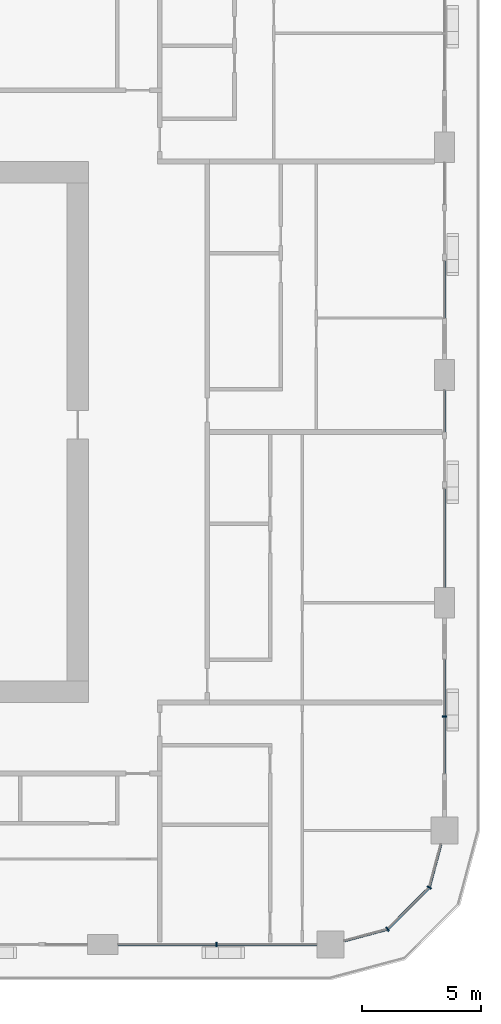
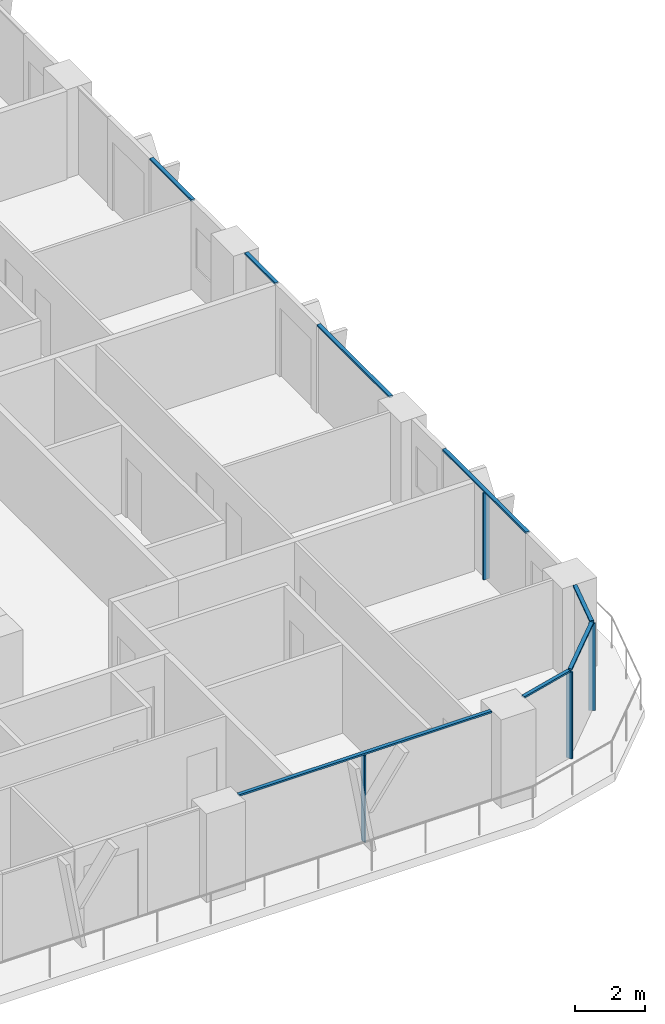
# One storey, part 4 of 21: 12 members, 5 elements without a shape of their own.
"""IFC4 building model written with IfcOpenShell, lengths in metres."""

from ifc_helpers import new_model, si_unit, direction, frame, origin, origin_2d, place, context, subcontext, project, spatial, rectangle, extrude, material, layer, layer_set, material_profile, profile_set, type_object, element, aggregate, save


model = new_model("IFC4")

# Units and contexts
model_context = context("Model", 3, precision=1e-05, world=origin(), true_north=direction((0.0, 1.0)))
body_context = subcontext(model_context, "Body", "Model", "MODEL_VIEW")
ifc_project = project(units=[si_unit("LENGTHUNIT", "METRE"), si_unit("AREAUNIT", "SQUARE_METRE"), si_unit("VOLUMEUNIT", "CUBIC_METRE"), si_unit("PLANEANGLEUNIT", "RADIAN"), si_unit("MASSUNIT", "GRAM", prefix="KILO")], contexts=[model_context])

# Site, building, storey
site_placement = place(None, origin())
site = spatial("IfcSite", under=ifc_project, at=site_placement, CompositionType="ELEMENT")
building_placement = place(site_placement, origin())
building = spatial("IfcBuilding", under=site, at=building_placement, Name="Madar Terraces", CompositionType="ELEMENT")
storey_placement = place(building_placement, frame((0.0, 0.0, 110.199951171875)))
storey = spatial("IfcBuildingStorey", under=building, at=storey_placement, Name="L28", CompositionType="ELEMENT", Elevation=110.199951171875)

# Curtain wall, member
ifc_material_1 = material(Name="Glass, ceramic frit dark grey, with black aluminium frame", Category="aluminium")
ifc_layer = layer(ifc_material_1, 0.199951171875)
ifc_layer_set = layer_set([ifc_layer], Name="Facade curtain wall, fritted glass")
curtain_wall_type = type_object("IfcCurtainWallType", Name="Facade curtain wall, fritted glass", PredefinedType="NOTDEFINED", material=ifc_layer_set)
curtain_wall_1_placement = place(storey_placement, origin())
curtain_wall_1 = element("IfcCurtainWall", 1, at=curtain_wall_1_placement, inside=storey, type_object=curtain_wall_type, Name="Outer skin curtain wall south bay 5", PredefinedType="NOTDEFINED")
ifc_material_2 = material(Name="Aluminium, black anodised", Category="aluminium")
ifc_material_profile_1 = material_profile(ifc_material_2, rectangle(XDim=0.199951171875, YDim=0.06005859375, at=origin_2d()), Name="Facade mullion 60x200")
ifc_profile_set_1 = profile_set([ifc_material_profile_1], Name="Aluminium, black anodised")
member_type_1 = type_object("IfcMemberType", Name="Facade mullion 60x200", PredefinedType="MULLION", material=ifc_profile_set_1)
member_1_placement = place(storey_placement, frame((52.800048828125, 4.800048828125, 0.0), z_axis=(0.0, 0.0, 1.0), x_axis=(0.0, 1.0, 0.0)))
member_1 = element("IfcMember", 2, at=member_1_placement, type_object=member_type_1, Name="Mullion 1", PredefinedType="MULLION", context=body_context, shape_type="SweptSolid", body=[
    extrude(rectangle(XDim=0.199951171875, YDim=0.06005859375, at=origin_2d()), origin(), (0.0, 0.0, 1.0), 3.0400390625),
])

curtain_wall_2_placement = place(storey_placement, origin())
curtain_wall_2 = element("IfcCurtainWall", 3, at=curtain_wall_2_placement, inside=storey, type_object=curtain_wall_type, Name="Outer skin curtain wall east bay 1", PredefinedType="NOTDEFINED")
member_2_placement = place(storey_placement, frame((62.39990234375, 14.39990234375, 0.0), z_axis=(0.0, 0.0, 1.0), x_axis=(-1.0, 0.0, 0.0)))
member_2 = element("IfcMember", 4, at=member_2_placement, type_object=member_type_1, Name="Mullion 1", PredefinedType="MULLION", context=body_context, shape_type="SweptSolid", body=[
    extrude(rectangle(XDim=0.199951171875, YDim=0.06005859375, at=origin_2d()), origin(), (0.0, 0.0, 1.0), 3.0400390625),
])

# Curtain wall, members
curtain_wall_3_placement = place(storey_placement, origin())
curtain_wall_3 = element("IfcCurtainWall", 5, at=curtain_wall_3_placement, inside=storey, type_object=curtain_wall_type, Name="Outer skin curtain wall south-east corner", PredefinedType="NOTDEFINED")
member_3_placement = place(storey_placement, frame((60.0, 5.443115234375, 0.0), z_axis=(0.0, 0.0, 1.0), x_axis=(-0.499999989586, 0.866025409797, 0.0)))
member_3 = element("IfcMember", 6, at=member_3_placement, type_object=member_type_1, Name="Mullion 1", PredefinedType="MULLION", context=body_context, shape_type="SweptSolid", body=[
    extrude(rectangle(XDim=0.199951171875, YDim=0.06005859375, at=origin_2d()), origin(), (0.0, 0.0, 1.0), 3.0400390625),
])
member_4_placement = place(storey_placement, frame((61.7568359375, 7.199951171875, 0.0), z_axis=(0.0, 0.0, 1.0), x_axis=(-0.866025409797, 0.499999989586, 0.0)))
member_4 = element("IfcMember", 7, at=member_4_placement, type_object=member_type_1, Name="Mullion 2", PredefinedType="MULLION", context=body_context, shape_type="SweptSolid", body=[
    extrude(rectangle(XDim=0.199951171875, YDim=0.06005859375, at=origin_2d()), origin(), (0.0, 0.0, 1.0), 3.0400390625),
])

# Member
ifc_material_3 = material(Name="Aluminium, black anodised", Category="aluminium")
ifc_material_profile_2 = material_profile(ifc_material_3, rectangle(XDim=0.1201171875, YDim=0.06005859375, at=origin_2d()), Name="Facade transom 60x120")
ifc_profile_set_2 = profile_set([ifc_material_profile_2], Name="Aluminium, black anodised")
member_type_2 = type_object("IfcMemberType", Name="Facade transom 60x120", PredefinedType="USERDEFINED", material=ifc_profile_set_2)
member_5_placement = place(storey_placement, frame((48.64990234375, 4.800048828125, 3.070068359375), z_axis=(1.0, 0.0, 0.0), x_axis=(0.0, 1.0, 0.0)))
member_5 = element("IfcMember", 8, at=member_5_placement, type_object=member_type_2, Name="Transom 1", ObjectType="TRANSOM", PredefinedType="USERDEFINED", context=body_context, shape_type="SweptSolid", body=[
    extrude(rectangle(XDim=0.1201171875, YDim=0.06005859375, at=origin_2d()), origin(), (0.0, 0.0, 1.0), 8.375),
])

aggregate(curtain_wall_1, [member_1, member_5])

member_6_placement = place(storey_placement, frame((62.39990234375, 12.0, 3.070068359375), z_axis=(0.0, 1.0, 0.0), x_axis=(-1.0, 0.0, 0.0)))
member_6 = element("IfcMember", 9, at=member_6_placement, type_object=member_type_2, Name="Transom 1", ObjectType="TRANSOM", PredefinedType="USERDEFINED", context=body_context, shape_type="SweptSolid", body=[
    extrude(rectangle(XDim=0.1201171875, YDim=0.06005859375, at=origin_2d()), origin(), (0.0, 0.0, 1.0), 4.800048828125),
])

aggregate(curtain_wall_2, [member_2, member_6])

# Curtain wall, members
curtain_wall_4_placement = place(storey_placement, origin())
curtain_wall_4 = element("IfcCurtainWall", 10, at=curtain_wall_4_placement, inside=storey, type_object=curtain_wall_type, Name="Outer skin curtain wall east bay 2", PredefinedType="NOTDEFINED")
member_7_placement = place(storey_placement, frame((62.39990234375, 19.85009765625, 3.070068359375), z_axis=(0.0, 1.0, 0.0), x_axis=(-1.0, 0.0, 0.0)))
member_7 = element("IfcMember", 11, at=member_7_placement, type_object=member_type_2, Name="Transom 1", ObjectType="TRANSOM", PredefinedType="USERDEFINED", context=body_context, shape_type="SweptSolid", body=[
    extrude(rectangle(XDim=0.1201171875, YDim=0.06005859375, at=origin_2d()), origin(), (0.0, 0.0, 1.0), 4.14990234375),
])
member_8_placement = place(storey_placement, frame((62.39990234375, 26.39990234375, 3.070068359375), z_axis=(0.0, 1.0, 0.0), x_axis=(-1.0, 0.0, 0.0)))
member_8 = element("IfcMember", 12, at=member_8_placement, type_object=member_type_2, Name="Transom 2", ObjectType="TRANSOM", PredefinedType="USERDEFINED", context=body_context, shape_type="SweptSolid", body=[
    extrude(rectangle(XDim=0.1201171875, YDim=0.06005859375, at=origin_2d()), origin(), (0.0, 0.0, 1.0), 1.75),
])
aggregate(curtain_wall_4, [member_7, member_8])

# Curtain wall, member
curtain_wall_5_placement = place(storey_placement, origin())
curtain_wall_5 = element("IfcCurtainWall", 13, at=curtain_wall_5_placement, inside=storey, type_object=curtain_wall_type, Name="Outer skin curtain wall east bay 3", PredefinedType="NOTDEFINED")
member_9_placement = place(storey_placement, frame((62.39990234375, 31.199951171875, 3.070068359375), z_axis=(0.0, 1.0, 0.0), x_axis=(-1.0, 0.0, 0.0)))
member_9 = element("IfcMember", 14, at=member_9_placement, type_object=member_type_2, Name="Transom 1", ObjectType="TRANSOM", PredefinedType="USERDEFINED", context=body_context, shape_type="SweptSolid", body=[
    extrude(rectangle(XDim=0.1201171875, YDim=0.06005859375, at=origin_2d()), origin(), (0.0, 0.0, 1.0), 2.400146484375),
])
aggregate(curtain_wall_5, [member_9])

# Member
member_10_placement = place(storey_placement, frame((58.175048828125, 4.9541015625, 3.070068359375), z_axis=(0.965926950947, 0.258814847786, 0.0), x_axis=(-0.258814847786, 0.965926950947, 0.0)))
member_10 = element("IfcMember", 15, at=member_10_placement, type_object=member_type_2, Name="Transom 1", ObjectType="TRANSOM", PredefinedType="USERDEFINED", context=body_context, shape_type="SweptSolid", body=[
    extrude(rectangle(XDim=0.1201171875, YDim=0.06005859375, at=origin_2d()), origin(), (0.0, 0.0, 1.0), 1.859130859375),
])

member_11_placement = place(storey_placement, frame((60.021240234375, 5.46435546875, 3.070068359375), z_axis=(0.707106781187, 0.707106781187, 0.0), x_axis=(-0.707106781187, 0.707106781187, 0.0)))
member_11 = element("IfcMember", 16, at=member_11_placement, type_object=member_type_2, Name="Transom 2", ObjectType="TRANSOM", PredefinedType="USERDEFINED", context=body_context, shape_type="SweptSolid", body=[
    extrude(rectangle(XDim=0.1201171875, YDim=0.06005859375, at=origin_2d()), origin(), (0.0, 0.0, 1.0), 2.424560546875),
])

member_12_placement = place(storey_placement, frame((61.7646484375, 7.22900390625, 3.070068359375), z_axis=(0.258814847786, 0.965926950947, 0.0), x_axis=(-0.965926950947, 0.258814847786, 0.0)))
member_12 = element("IfcMember", 17, at=member_12_placement, type_object=member_type_2, Name="Transom 3", ObjectType="TRANSOM", PredefinedType="USERDEFINED", context=body_context, shape_type="SweptSolid", body=[
    extrude(rectangle(XDim=0.1201171875, YDim=0.06005859375, at=origin_2d()), origin(), (0.0, 0.0, 1.0), 1.859130859375),
])

aggregate(curtain_wall_3, [member_3, member_10, member_4, member_11, member_12])

save(model, "model.ifc")
